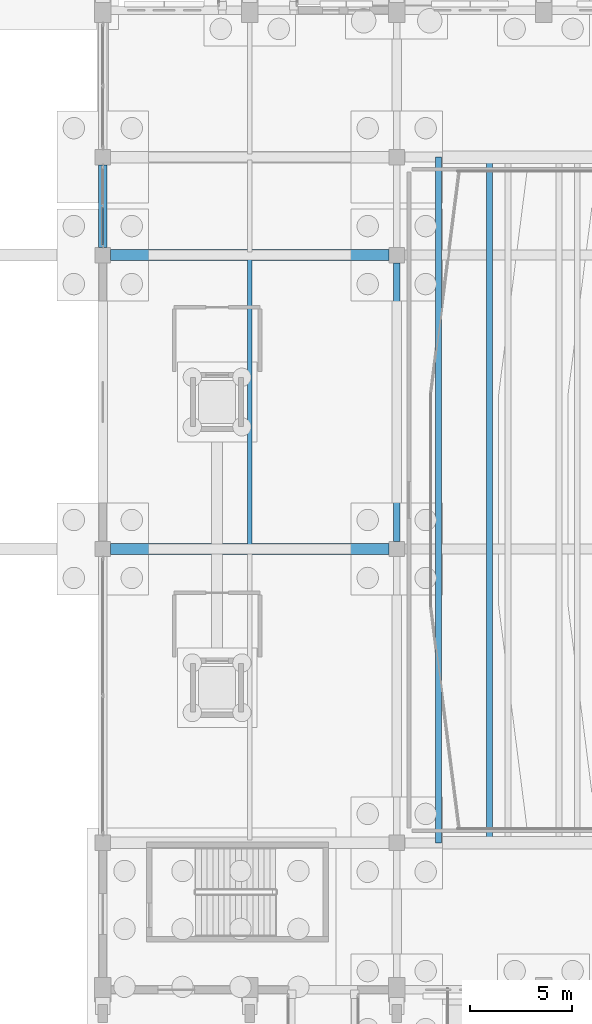
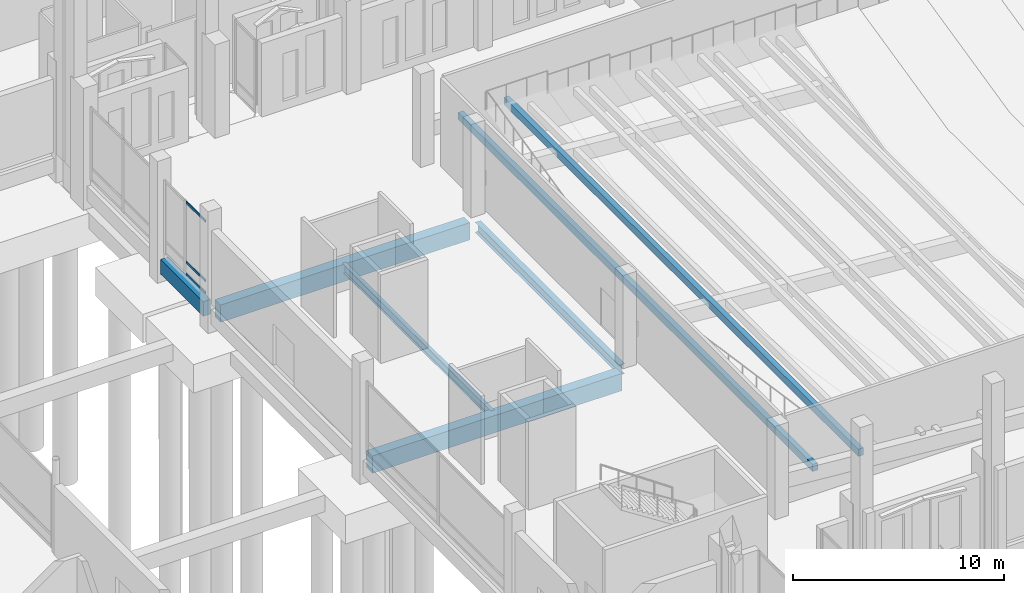
# One storey, part 107 of 192: 7 beams, 3 members, 1 element without a shape of its own.
"""IFC4 building model written with IfcOpenShell, lengths in metres."""

from ifc_helpers import new_model, si_unit, direction, frame, origin, origin_2d, place, context, subcontext, project, spatial, rectangle, hollow_rectangle, i_section, extrude, material, material_profile, profile_set, type_object, element, aggregate, save


model = new_model("IFC4")

# Units and contexts
model_context = context("Model", 3, precision=1e-05, world=origin(), true_north=direction((0.0, 1.0)))
body_context = subcontext(model_context, "Body", "Model", "MODEL_VIEW")
ifc_project = project(units=[si_unit("LENGTHUNIT", "METRE"), si_unit("AREAUNIT", "SQUARE_METRE"), si_unit("VOLUMEUNIT", "CUBIC_METRE"), si_unit("PLANEANGLEUNIT", "RADIAN"), si_unit("MASSUNIT", "GRAM", prefix="KILO")], contexts=[model_context])

# Site, building, storey
site_placement = place(None, origin())
site = spatial("IfcSite", under=ifc_project, at=site_placement, CompositionType="ELEMENT")
building_placement = place(site_placement, origin())
building = spatial("IfcBuilding", under=site, at=building_placement, Name="Cendralis Lancet Convention Centre", CompositionType="ELEMENT")
storey_placement = place(building_placement, origin())
storey = spatial("IfcBuildingStorey", under=building, at=storey_placement, Name="L00", CompositionType="ELEMENT", Elevation=0.0)

# Curtain wall, members
ifc_material_1 = material(Name="Anodised bronze architectural aluminium", Category="aluminium")
curtain_wall_type = type_object("IfcCurtainWallType", Name="ARC-CW-PL01", PredefinedType="USERDEFINED", material=ifc_material_1)
curtain_wall_placement = place(storey_placement, origin())
curtain_wall = element("IfcCurtainWall", 1, at=curtain_wall_placement, inside=storey, type_object=curtain_wall_type, Name="L00 Curtain Wall CW-PL1 #111", ObjectType="CURTAIN WALL", PredefinedType="USERDEFINED")
ifc_material_profile_1 = material_profile(ifc_material_1, hollow_rectangle(XDim=0.06005859375, YDim=0.1201171875, WallThickness=0.00390625, at=origin_2d()), Name="AL-TRAN 60x120x4.0")
ifc_profile_set_1 = profile_set([ifc_material_profile_1], Name="Anodised bronze architectural aluminium")
member_type = type_object("IfcMemberType", Name="ARC-CW-TR01", PredefinedType="USERDEFINED", material=ifc_profile_set_1)
member_1_placement = place(storey_placement, frame((139.199951171875, 79.695068359375, 0.06005859375), z_axis=(0.0, 1.0, 0.0), x_axis=(-1.0, 0.0, 0.0)))
member_1 = element("IfcMember", 2, at=member_1_placement, type_object=member_type, Name="Transom CW2-CW-PL1-L00-111-T0BOT", ObjectType="TRANSOM", PredefinedType="USERDEFINED", context=body_context, shape_type="SweptSolid", body=[
    extrude(hollow_rectangle(XDim=0.06005859375, YDim=0.1201171875, WallThickness=0.00390625, at=origin_2d()), origin(), (0.0, 0.0, 1.0), 1.8349609375),
])
member_2_placement = place(storey_placement, frame((139.199951171875, 79.695068359375, 0.75), z_axis=(0.0, 1.0, 0.0), x_axis=(-1.0, 0.0, 0.0)))
member_2 = element("IfcMember", 3, at=member_2_placement, type_object=member_type, Name="Transom CW2-CW-PL1-L00-111-T0MID", ObjectType="TRANSOM", PredefinedType="USERDEFINED", context=body_context, shape_type="SweptSolid", body=[
    extrude(hollow_rectangle(XDim=0.06005859375, YDim=0.1201171875, WallThickness=0.00390625, at=origin_2d()), origin(), (0.0, 0.0, 1.0), 1.8349609375),
])
member_3_placement = place(storey_placement, frame((139.199951171875, 79.695068359375, 4.195068359375), z_axis=(0.0, 1.0, 0.0), x_axis=(-1.0, 0.0, 0.0)))
member_3 = element("IfcMember", 4, at=member_3_placement, type_object=member_type, Name="Transom CW2-CW-PL1-L00-111-T0TOP", ObjectType="TRANSOM", PredefinedType="USERDEFINED", context=body_context, shape_type="SweptSolid", body=[
    extrude(hollow_rectangle(XDim=0.06005859375, YDim=0.1201171875, WallThickness=0.00390625, at=origin_2d()), origin(), (0.0, 0.0, 1.0), 1.8349609375),
])
aggregate(curtain_wall, [member_1, member_2, member_3])

# Beams
ifc_material_2 = material(Name="Concrete G40 (C40/50)", Category="concrete")
ifc_material_profile_2 = material_profile(ifc_material_2, rectangle(XDim=0.550048828125, YDim=1.0, at=origin_2d()), Name="RCB 550x1000")
ifc_profile_set_2 = profile_set([ifc_material_profile_2], Name="Concrete G40 (C40/50)")
beam_type_1 = type_object("IfcBeamType", Name="STR-BM-BG05", PredefinedType="BEAM", material=ifc_profile_set_2)
for number, where, z_axis, x_axis, name in (
    (5, (139.574951171875, 64.800048828125, -0.820068359375), (1.0, 0.0, 0.0), (0.0, 1.0, 0.0), "L00 Beam BG05 #1358"),
    (6, (139.574951171875, 79.199951171875, -0.820068359375), (1.0, 0.0, 0.0), (0.0, 1.0, 0.0), "L00 Beam BG05 #1361"),
):
    element("IfcBeam", number, at=place(storey_placement, frame(where, z_axis=z_axis, x_axis=x_axis)), inside=storey, type_object=beam_type_1, Name=name, PredefinedType="BEAM", context=body_context, shape_type="SweptSolid", body=[
        extrude(rectangle(XDim=0.550048828125, YDim=1.0, at=origin_2d()), origin(), (0.0, 0.0, 1.0), 13.650146484375),
    ])
ifc_material_3 = material(Name="Steel S355", Category="steel")
ifc_material_profile_3 = material_profile(ifc_material_3, i_section(OverallWidth=0.300048828125, OverallDepth=0.590087890625, WebThickness=0.012939453125, FlangeThickness=0.02490234375, FilletRadius=0.027099609375, at=origin_2d()), Name="HEA 600")
ifc_profile_set_3 = profile_set([ifc_material_profile_3], Name="Steel S355")
beam_type_2 = type_object("IfcBeamType", Name="STR-BM-SG10", PredefinedType="BEAM", material=ifc_profile_set_3)
beam_1_placement = place(storey_placement, frame((153.60009765625, 65.175048828125, -0.614990234375), z_axis=(0.0, 1.0, 0.0), x_axis=(-1.0, 0.0, 0.0)))
element("IfcBeam", 7, at=beam_1_placement, inside=storey, type_object=beam_type_2, Name="L00 Beam SG10 #1374", PredefinedType="BEAM", context=body_context, shape_type="SweptSolid", body=[
    extrude(i_section(OverallWidth=0.300048828125, OverallDepth=0.590087890625, WebThickness=0.012939453125, FlangeThickness=0.02490234375, FilletRadius=0.027099609375, at=origin_2d()), origin(), (0.0, 0.0, 1.0), 13.64990234375),
])
ifc_material_4 = material(Name="Concrete G35 (C35/45)", Category="concrete")
ifc_material_profile_4 = material_profile(ifc_material_4, rectangle(XDim=0.280029296875, YDim=0.419921875, at=origin_2d()), Name="RCB 280x420")
ifc_profile_set_4 = profile_set([ifc_material_profile_4], Name="Concrete G35 (C35/45)")
beam_type_3 = type_object("IfcBeamType", Name="STR-BM-SR01", PredefinedType="BEAM", material=ifc_profile_set_4)
for number, where, z_axis, x_axis, name in (
    (8, (155.64990234375, 50.39990234375, 1.969970703125), (0.0, 1.0, 0.0), (-1.0, 0.0, 0.0), "Plenary Lower Tier Step Beam SR01 R08"),
    (9, (158.14990234375, 50.39990234375, 1.969970703125), (0.0, 1.0, 0.0), (-1.0, 0.0, 0.0), "Plenary Lower Tier Step Beam SR01 R08"),
):
    element("IfcBeam", number, at=place(storey_placement, frame(where, z_axis=z_axis, x_axis=x_axis)), inside=storey, type_object=beam_type_3, Name=name, PredefinedType="BEAM", context=body_context, shape_type="SweptSolid", body=[
        extrude(rectangle(XDim=0.280029296875, YDim=0.419921875, at=origin_2d()), origin(), (0.0, 0.0, 1.0), 33.60009765625),
    ])
ifc_material_profile_5 = material_profile(ifc_material_3, i_section(OverallWidth=0.199951171875, OverallDepth=0.5, WebThickness=0.01025390625, FlangeThickness=0.01611328125, FilletRadius=0.02099609375, at=origin_2d()), Name="IPE 500")
ifc_profile_set_5 = profile_set([ifc_material_profile_5], Name="Steel S355")
beam_type_4 = type_object("IfcBeamType", Name="STR-JS-BJ06", PredefinedType="JOIST", material=ifc_profile_set_5)
beam_2_placement = place(storey_placement, frame((146.39990234375, 64.949951171875, -0.570068359375), z_axis=(0.0, 1.0, 0.0), x_axis=(-1.0, 0.0, 0.0)))
element("IfcBeam", 10, at=beam_2_placement, inside=storey, type_object=beam_type_4, Name="L00 Beam BJ06 #1388", PredefinedType="JOIST", context=body_context, shape_type="SweptSolid", body=[
    extrude(i_section(OverallWidth=0.199951171875, OverallDepth=0.5, WebThickness=0.01025390625, FlangeThickness=0.01611328125, FilletRadius=0.02099609375, at=origin_2d()), origin(), (0.0, 0.0, 1.0), 14.10009765625),
])
ifc_material_profile_6 = material_profile(ifc_material_2, rectangle(XDim=0.39990234375, YDim=0.85009765625, at=origin_2d()), Name="RCB 400x850")
ifc_profile_set_6 = profile_set([ifc_material_profile_6], Name="Concrete G40 (C40/50)")
beam_type_5 = type_object("IfcBeamType", Name="STR-SP-SP02", PredefinedType="SPANDREL", material=ifc_profile_set_6)
beam_3_placement = place(storey_placement, frame((139.199951171875, 79.574951171875, -0.7451171875), z_axis=(0.0, 1.0, 0.0), x_axis=(-1.0, 0.0, 0.0)))
element("IfcBeam", 11, at=beam_3_placement, inside=storey, type_object=beam_type_5, Name="L00 Beam SP02 #1370", PredefinedType="SPANDREL", context=body_context, shape_type="SweptSolid", body=[
    extrude(rectangle(XDim=0.39990234375, YDim=0.85009765625, at=origin_2d()), origin(), (0.0, 0.0, 1.0), 4.050048828125),
])

save(model, "model.ifc")
